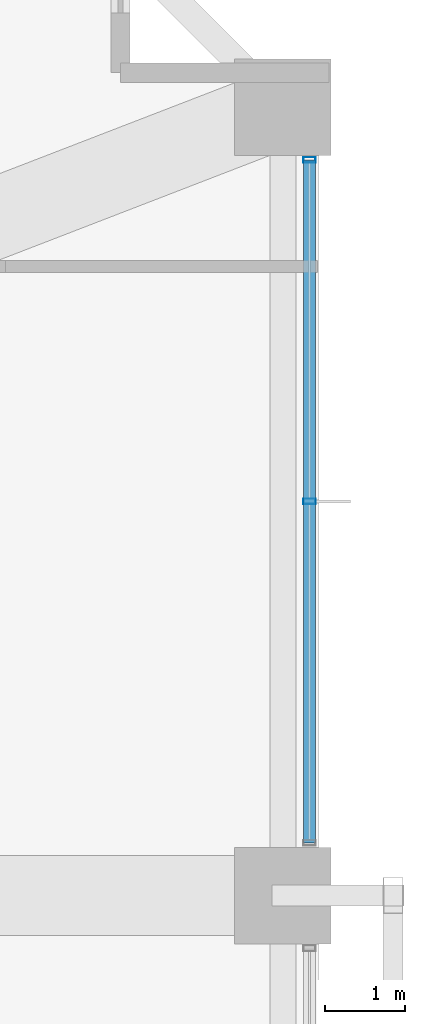
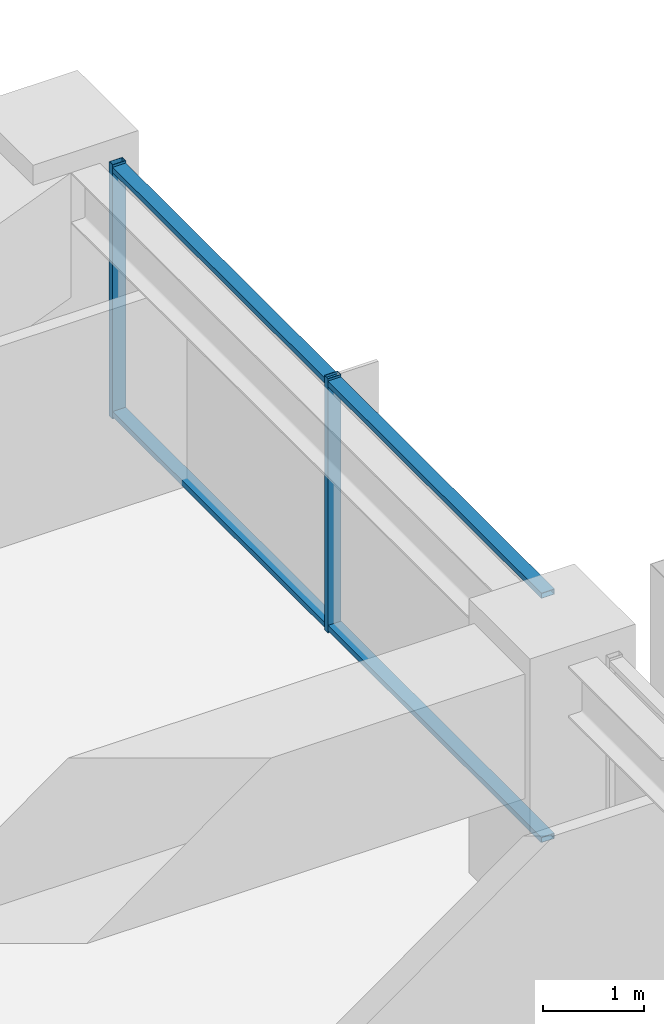
# One storey, part 23 of 37: 4 members, 1 element without a shape of its own.
"""IFC4 building model written with IfcOpenShell, lengths in metres."""

from ifc_helpers import new_model, si_unit, direction, frame, origin, origin_2d, place, context, subcontext, project, spatial, hollow_rectangle, extrude, material, material_profile, profile_set, type_object, element, aggregate, save


model = new_model("IFC4")

# Units and contexts
model_context = context("Model", 3, precision=1e-05, world=origin(), true_north=direction((0.0, 1.0)))
body_context = subcontext(model_context, "Body", "Model", "MODEL_VIEW")
ifc_project = project(units=[si_unit("LENGTHUNIT", "METRE"), si_unit("AREAUNIT", "SQUARE_METRE"), si_unit("VOLUMEUNIT", "CUBIC_METRE"), si_unit("PLANEANGLEUNIT", "RADIAN"), si_unit("MASSUNIT", "GRAM", prefix="KILO")], contexts=[model_context])

# Site, building, storey
site_placement = place(None, origin())
site = spatial("IfcSite", under=ifc_project, at=site_placement, CompositionType="ELEMENT")
building_placement = place(site_placement, origin())
building = spatial("IfcBuilding", under=site, at=building_placement, Name="Kolvaren Belvedere", CompositionType="ELEMENT")
storey_placement = place(building_placement, frame((0.0, 0.0, 43.60009765625)))
storey = spatial("IfcBuildingStorey", under=building, at=storey_placement, Name="L12", CompositionType="ELEMENT", Elevation=43.60009765625)

# Curtain wall, members
ifc_material_1 = material(Name="Anodised pale-metal aluminium AA 6063-T6", Category="aluminium")
curtain_wall_type = type_object("IfcCurtainWallType", Name="CW-Z1-LOW", PredefinedType="NOTDEFINED", material=ifc_material_1)
curtain_wall_placement = place(storey_placement, origin())
curtain_wall = element("IfcCurtainWall", 1, at=curtain_wall_placement, inside=storey, type_object=curtain_wall_type, Name="L12 Unitised Curtain Wall FCW-L12-E-B1", PredefinedType="NOTDEFINED")
ifc_material_2 = material(Name="Anodised pale-metal aluminium AA 6063-T6", Category="aluminium")
ifc_material_profile_1 = material_profile(ifc_material_2, hollow_rectangle(XDim=0.070068359375, YDim=0.14990234375, WallThickness=0.004150390625, at=origin_2d()), Name="ALU-MUL-150X70")
ifc_profile_set_1 = profile_set([ifc_material_profile_1], Name="Anodised pale-metal aluminium AA 6063-T6")
member_type_1 = type_object("IfcMemberType", Name="CW-MUL-150", PredefinedType="MULLION", material=ifc_profile_set_1)
member_1_placement = place(storey_placement, frame((21.8798828125, 13.7451171875, 0.0), z_axis=(0.0, 0.0, 1.0), x_axis=(0.0, 1.0, 0.0)))
member_1 = element("IfcMember", 2, at=member_1_placement, type_object=member_type_1, Name="FCW-L12-E-B1 Unitised Mullion 1", PredefinedType="MULLION", context=body_context, shape_type="SweptSolid", body=[
    extrude(hollow_rectangle(XDim=0.070068359375, YDim=0.14990234375, WallThickness=0.004150390625, at=origin_2d()), origin(), (0.0, 0.0, 1.0), 3.059814453125),
])
member_2_placement = place(storey_placement, frame((21.8798828125, 9.5, 0.0), z_axis=(0.0, 0.0, 1.0), x_axis=(0.0, 1.0, 0.0)))
member_2 = element("IfcMember", 3, at=member_2_placement, type_object=member_type_1, Name="FCW-L12-E-B1 Unitised Mullion 2", PredefinedType="MULLION", context=body_context, shape_type="SweptSolid", body=[
    extrude(hollow_rectangle(XDim=0.070068359375, YDim=0.14990234375, WallThickness=0.004150390625, at=origin_2d()), origin(), (0.0, 0.0, 1.0), 3.059814453125),
])
ifc_material_3 = material(Name="Anodised pale-metal aluminium AA 6063-T6", Category="aluminium")
ifc_material_profile_2 = material_profile(ifc_material_3, hollow_rectangle(XDim=0.06494140625, YDim=0.14990234375, WallThickness=0.00390625, at=origin_2d()), Name="ALU-TRN-150X65")
ifc_profile_set_2 = profile_set([ifc_material_profile_2], Name="Anodised pale-metal aluminium AA 6063-T6")
member_type_2 = type_object("IfcMemberType", Name="CW-TRN-150", PredefinedType="USERDEFINED", material=ifc_profile_set_2)
member_3_placement = place(storey_placement, frame((21.8798828125, 13.7451171875, 0.059814453125), z_axis=(0.0, -1.0, 0.0), x_axis=(0.0, 0.0, 1.0)))
member_3 = element("IfcMember", 4, at=member_3_placement, type_object=member_type_2, Name="FCW-L12-E-B1 Sill Transom", ObjectType="TRANSOM", PredefinedType="USERDEFINED", context=body_context, shape_type="SweptSolid", body=[
    extrude(hollow_rectangle(XDim=0.06494140625, YDim=0.14990234375, WallThickness=0.00390625, at=origin_2d()), origin(), (0.0, 0.0, 1.0), 8.490234375),
])
member_4_placement = place(storey_placement, frame((21.8798828125, 13.7451171875, 3.0), z_axis=(0.0, -1.0, 0.0), x_axis=(0.0, 0.0, 1.0)))
member_4 = element("IfcMember", 5, at=member_4_placement, type_object=member_type_2, Name="FCW-L12-E-B1 Head Transom", ObjectType="TRANSOM", PredefinedType="USERDEFINED", context=body_context, shape_type="SweptSolid", body=[
    extrude(hollow_rectangle(XDim=0.06494140625, YDim=0.14990234375, WallThickness=0.00390625, at=origin_2d()), origin(), (0.0, 0.0, 1.0), 8.490234375),
])
aggregate(curtain_wall, [member_1, member_2, member_3, member_4])

save(model, "model.ifc")
